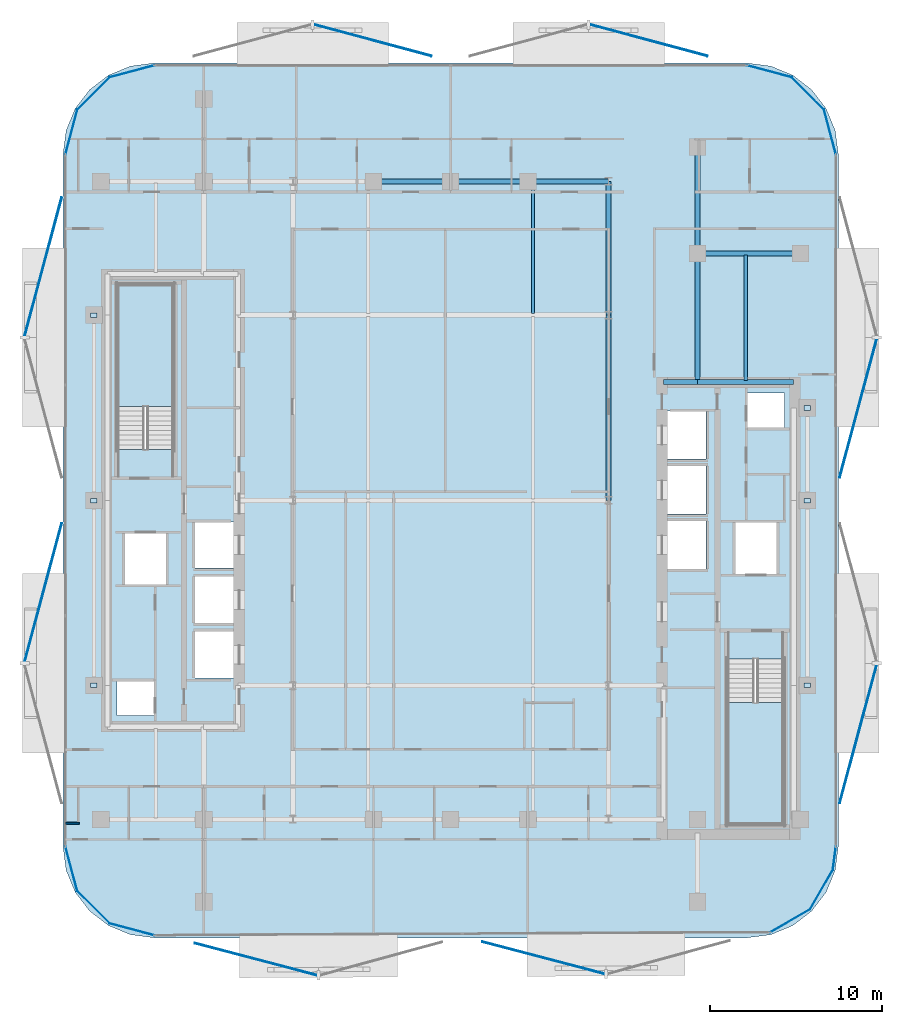
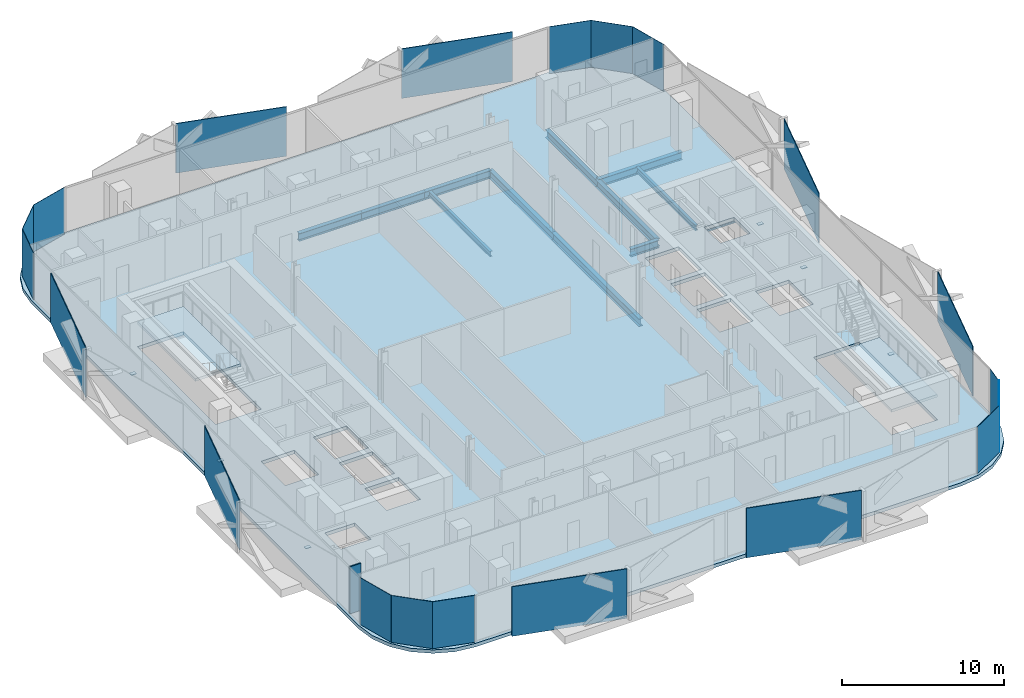
# One storey, part 2 of 17: 26 plates, 12 beams, 3 slabs, 1 wall, 2 elements without a shape of their own.
"""IFC4 building model written with IfcOpenShell, lengths in metres."""

from ifc_helpers import new_model, si_unit, direction, frame, frame_2d, origin, origin_2d, place, context, subcontext, project, spatial, polyline, rectangle, i_section, outline, extrude, material, layer, layer_set, material_profile, profile_set, type_object, element, aggregate, save


model = new_model("IFC4")

# Units and contexts
model_context = context("Model", 3, precision=1e-05, world=origin(), true_north=direction((0.0, 1.0)))
body_context = subcontext(model_context, "Body", "Model", "MODEL_VIEW")
ifc_project = project(units=[si_unit("LENGTHUNIT", "METRE"), si_unit("AREAUNIT", "SQUARE_METRE"), si_unit("VOLUMEUNIT", "CUBIC_METRE"), si_unit("PLANEANGLEUNIT", "RADIAN"), si_unit("MASSUNIT", "GRAM", prefix="KILO")], contexts=[model_context])

# Site, building, storey
site_placement = place(None, origin())
site = spatial("IfcSite", under=ifc_project, at=site_placement, CompositionType="ELEMENT")
building_placement = place(site_placement, origin())
building = spatial("IfcBuilding", under=site, at=building_placement, Name="Khairoan Windgate Tower", CompositionType="ELEMENT")
storey_placement = place(building_placement, frame((0.0, 0.0, 176.39990234375)))
storey = spatial("IfcBuildingStorey", under=building, at=storey_placement, Name="L40", CompositionType="ELEMENT", Elevation=176.39990234375)

# Beams
ifc_material_1 = material(Name="Steel S355", Category="steel")
ifc_material_profile_1 = material_profile(ifc_material_1, i_section(OverallWidth=0.300048828125, OverallDepth=0.587890625, WebThickness=0.011962890625, FlangeThickness=0.02001953125, FilletRadius=0.02392578125, at=origin_2d()))
ifc_profile_set_1 = profile_set([ifc_material_profile_1], Name="Steel S355")
beam_type_1 = type_object("IfcBeamType", Name="Beam B-G4 H588x300x12x20", PredefinedType="BEAM", material=ifc_profile_set_1)
beam_1_placement = place(storey_placement, frame((12.39990234375, 6.89990234375, -0.553955078125), z_axis=(1.0, 0.0, 0.0), x_axis=(0.0, 1.0, 0.0)))
element("IfcBeam", 1, at=beam_1_placement, inside=storey, type_object=beam_type_1, Name="L40 E-W Primary Girder 15", PredefinedType="BEAM", context=body_context, shape_type="SweptSolid", body=[
    extrude(i_section(OverallWidth=0.300048828125, OverallDepth=0.587890625, WebThickness=0.011962890625, FlangeThickness=0.02001953125, FilletRadius=0.02392578125, at=origin_2d()), origin(), (0.0, 0.0, 1.0), 2.0),
])
beam_2_placement = place(storey_placement, frame((14.39990234375, 6.89990234375, -0.553955078125), z_axis=(1.0, 0.0, 0.0), x_axis=(0.0, 1.0, 0.0)))
element("IfcBeam", 2, at=beam_2_placement, inside=storey, type_object=beam_type_1, Name="L40 E-W Primary Girder 16", PredefinedType="BEAM", context=body_context, shape_type="SweptSolid", body=[
    extrude(i_section(OverallWidth=0.300048828125, OverallDepth=0.587890625, WebThickness=0.011962890625, FlangeThickness=0.02001953125, FilletRadius=0.02392578125, at=origin_2d()), origin(), (0.0, 0.0, 1.0), 5.60009765625),
])
beam_3_placement = place(storey_placement, frame((14.39990234375, 14.39990234375, -0.553955078125), z_axis=(1.0, 0.0, 0.0), x_axis=(0.0, 1.0, 0.0)))
element("IfcBeam", 3, at=beam_3_placement, inside=storey, type_object=beam_type_1, Name="L40 E-W Primary Girder 21", PredefinedType="BEAM", context=body_context, shape_type="SweptSolid", body=[
    extrude(i_section(OverallWidth=0.300048828125, OverallDepth=0.587890625, WebThickness=0.011962890625, FlangeThickness=0.02001953125, FilletRadius=0.02392578125, at=origin_2d()), origin(), (0.0, 0.0, 1.0), 6.0),
])
for number, where, z_axis, x_axis, name in (
    (4, (-4.5, 18.60009765625, -0.553955078125), (1.0, 0.0, 0.0), (0.0, 1.0, 0.0), "L40 E-W Primary Girder 25"),
    (5, (0.0, 18.60009765625, -0.553955078125), (1.0, 0.0, 0.0), (0.0, 1.0, 0.0), "L40 E-W Primary Girder 26"),
):
    element("IfcBeam", number, at=place(storey_placement, frame(where, z_axis=z_axis, x_axis=x_axis)), inside=storey, type_object=beam_type_1, Name=name, PredefinedType="BEAM", context=body_context, shape_type="SweptSolid", body=[
        extrude(i_section(OverallWidth=0.300048828125, OverallDepth=0.587890625, WebThickness=0.011962890625, FlangeThickness=0.02001953125, FilletRadius=0.02392578125, at=origin_2d()), origin(), (0.0, 0.0, 1.0), 4.5),
    ])
beam_4_placement = place(storey_placement, frame((4.5, 18.60009765625, -0.553955078125), z_axis=(1.0, 0.0, 0.0), x_axis=(0.0, 1.0, 0.0)))
element("IfcBeam", 6, at=beam_4_placement, inside=storey, type_object=beam_type_1, Name="L40 E-W Primary Girder 27", PredefinedType="BEAM", context=body_context, shape_type="SweptSolid", body=[
    extrude(i_section(OverallWidth=0.300048828125, OverallDepth=0.587890625, WebThickness=0.011962890625, FlangeThickness=0.02001953125, FilletRadius=0.02392578125, at=origin_2d()), origin(), (0.0, 0.0, 1.0), 4.699951171875),
])
beam_5_placement = place(storey_placement, frame((9.199951171875, 0.0, -0.553955078125), z_axis=(0.0, 1.0, 0.0), x_axis=(-1.0, 0.0, 0.0)))
element("IfcBeam", 7, at=beam_5_placement, inside=storey, type_object=beam_type_1, Name="L40 N-S Primary Beam 47", PredefinedType="BEAM", context=body_context, shape_type="SweptSolid", body=[
    extrude(i_section(OverallWidth=0.300048828125, OverallDepth=0.587890625, WebThickness=0.011962890625, FlangeThickness=0.02001953125, FilletRadius=0.02392578125, at=origin_2d()), origin(), (0.0, 0.0, 1.0), 10.800048828125),
])
beam_6_placement = place(storey_placement, frame((9.199951171875, 10.800048828125, -0.553955078125), z_axis=(0.0, 1.0, 0.0), x_axis=(-1.0, 0.0, 0.0)))
element("IfcBeam", 8, at=beam_6_placement, inside=storey, type_object=beam_type_1, Name="L40 N-S Primary Beam 48", PredefinedType="BEAM", context=body_context, shape_type="SweptSolid", body=[
    extrude(i_section(OverallWidth=0.300048828125, OverallDepth=0.587890625, WebThickness=0.011962890625, FlangeThickness=0.02001953125, FilletRadius=0.02392578125, at=origin_2d()), origin(), (0.0, 0.0, 1.0), 7.800048828125),
])
beam_7_placement = place(storey_placement, frame((14.39990234375, 6.89990234375, -0.553955078125), z_axis=(0.0, 1.0, 0.0), x_axis=(-1.0, 0.0, 0.0)))
element("IfcBeam", 9, at=beam_7_placement, inside=storey, type_object=beam_type_1, Name="L40 N-S Primary Beam 51", PredefinedType="BEAM", context=body_context, shape_type="SweptSolid", body=[
    extrude(i_section(OverallWidth=0.300048828125, OverallDepth=0.587890625, WebThickness=0.011962890625, FlangeThickness=0.02001953125, FilletRadius=0.02392578125, at=origin_2d()), origin(), (0.0, 0.0, 1.0), 7.5),
])
beam_8_placement = place(storey_placement, frame((14.39990234375, 14.39990234375, -0.553955078125), z_axis=(0.0, 1.0, 0.0), x_axis=(-1.0, 0.0, 0.0)))
element("IfcBeam", 10, at=beam_8_placement, inside=storey, type_object=beam_type_1, Name="L40 N-S Primary Beam 52", PredefinedType="BEAM", context=body_context, shape_type="SweptSolid", body=[
    extrude(i_section(OverallWidth=0.300048828125, OverallDepth=0.587890625, WebThickness=0.011962890625, FlangeThickness=0.02001953125, FilletRadius=0.02392578125, at=origin_2d()), origin(), (0.0, 0.0, 1.0), 6.2001953125),
])
ifc_material_2 = material(Name="Steel S355", Category="steel")
ifc_material_profile_2 = material_profile(ifc_material_2, i_section(OverallWidth=0.199951171875, OverallDepth=0.39990234375, WebThickness=0.008056640625, FlangeThickness=0.012939453125, FilletRadius=0.01611328125, at=origin_2d()))
ifc_profile_set_2 = profile_set([ifc_material_profile_2], Name="Steel S355")
beam_type_2 = type_object("IfcBeamType", Name="Beam J-S4 H400x200x8x13", PredefinedType="JOIST", material=ifc_profile_set_2)
beam_9_placement = place(storey_placement, frame((4.800048828125, 10.889892578125, -0.4599609375), z_axis=(0.0, 1.0, 0.0), x_axis=(-1.0, 0.0, 0.0)))
element("IfcBeam", 11, at=beam_9_placement, inside=storey, type_object=beam_type_2, Name="L40 Secondary Floor Joist 10", PredefinedType="JOIST", context=body_context, shape_type="SweptSolid", body=[
    extrude(i_section(OverallWidth=0.199951171875, OverallDepth=0.39990234375, WebThickness=0.008056640625, FlangeThickness=0.012939453125, FilletRadius=0.01611328125, at=origin_2d()), origin(), (0.0, 0.0, 1.0), 7.6201171875),
])
beam_10_placement = place(storey_placement, frame((17.199951171875, 6.989990234375, -0.4599609375), z_axis=(0.0, 1.0, 0.0), x_axis=(-1.0, 0.0, 0.0)))
element("IfcBeam", 12, at=beam_10_placement, inside=storey, type_object=beam_type_2, Name="L40 Secondary Floor Joist 11", PredefinedType="JOIST", context=body_context, shape_type="SweptSolid", body=[
    extrude(i_section(OverallWidth=0.199951171875, OverallDepth=0.39990234375, WebThickness=0.008056640625, FlangeThickness=0.012939453125, FilletRadius=0.01611328125, at=origin_2d()), origin(), (0.0, 0.0, 1.0), 7.320068359375),
])

# Plates
ifc_material_3 = material(Name="Low-E Solar Control Laminated Glass", Category="glass")
ifc_layer_1 = layer(ifc_material_3, 0.030029296875, Name="Low-E Solar Control Laminated Glass")
ifc_layer_set_1 = layer_set([ifc_layer_1], Name="Low-E Solar Control Laminated Glass")
plate_type_1 = type_object("IfcPlateType", Name="Aerodynamic Wind-Corner Curved Glazing Plate", PredefinedType="USERDEFINED", material=ifc_layer_set_1)
plate_1_placement = place(storey_placement, frame((-18.585205078125, -25.013916015625, 0.0), z_axis=(0.0, 0.0, 1.0), x_axis=(-0.966061211211, 0.258313252067, 0.0)))
element("IfcPlate", 13, at=plate_1_placement, inside=storey, type_object=plate_type_1, Name="L40 Aerodynamic Wind-Corner Curved Glazing Panel 2", ObjectType="GLAZING PANEL", PredefinedType="USERDEFINED", context=body_context, shape_type="SweptSolid", body=[
    extrude(rectangle(XDim=2.719482421875, YDim=0.030029296875, at=origin_2d()), origin(), (0.0, 0.0, 1.0), 3.5400390625),
])
plate_2_placement = place(storey_placement, frame((-20.823486328125, -23.723388671875, 0.0), z_axis=(0.0, 0.0, 1.0), x_axis=(-0.707106781187, 0.707106781187, 0.0)))
element("IfcPlate", 14, at=plate_2_placement, inside=storey, type_object=plate_type_1, Name="L40 Aerodynamic Wind-Corner Curved Glazing Panel 3", ObjectType="GLAZING PANEL", PredefinedType="USERDEFINED", context=body_context, shape_type="SweptSolid", body=[
    extrude(rectangle(XDim=2.710205078125, YDim=0.030029296875, at=origin_2d()), origin(), (0.0, 0.0, 1.0), 3.5400390625),
])
for number, where, z_axis, x_axis, name in (
    (15, (-22.11376953125, -21.485107421875, 0.0), (0.0, 0.0, 1.0), (-0.258313252067, 0.966061211211, 0.0), "L40 Aerodynamic Wind-Corner Curved Glazing Panel 4"),
    (16, (-22.11376953125, 21.485107421875, 0.0), (0.0, 0.0, 1.0), (0.258313252067, 0.966061211211, 0.0), "L40 Aerodynamic Wind-Corner Curved Glazing Panel 6"),
):
    element("IfcPlate", number, at=place(storey_placement, frame(where, z_axis=z_axis, x_axis=x_axis)), inside=storey, type_object=plate_type_1, Name=name, ObjectType="GLAZING PANEL", PredefinedType="USERDEFINED", context=body_context, shape_type="SweptSolid", body=[
        extrude(rectangle(XDim=2.719482421875, YDim=0.030029296875, at=origin_2d()), origin(), (0.0, 0.0, 1.0), 3.5400390625),
    ])
plate_3_placement = place(storey_placement, frame((-20.823486328125, 23.723388671875, 0.0), z_axis=(0.0, 0.0, 1.0), x_axis=(0.707106781187, 0.707106781187, 0.0)))
element("IfcPlate", 17, at=plate_3_placement, inside=storey, type_object=plate_type_1, Name="L40 Aerodynamic Wind-Corner Curved Glazing Panel 7", ObjectType="GLAZING PANEL", PredefinedType="USERDEFINED", context=body_context, shape_type="SweptSolid", body=[
    extrude(rectangle(XDim=2.710205078125, YDim=0.030029296875, at=origin_2d()), origin(), (0.0, 0.0, 1.0), 3.5400390625),
])
for number, where, z_axis, x_axis, name in (
    (18, (-18.585205078125, 25.013916015625, 0.0), (0.0, 0.0, 1.0), (0.966061211211, 0.258313252067, 0.0), "L40 Aerodynamic Wind-Corner Curved Glazing Panel 8"),
    (19, (18.585205078125, 25.013916015625, 0.0), (0.0, 0.0, 1.0), (0.966061211211, -0.258313252067, 0.0), "L40 Aerodynamic Wind-Corner Curved Glazing Panel 10"),
):
    element("IfcPlate", number, at=place(storey_placement, frame(where, z_axis=z_axis, x_axis=x_axis)), inside=storey, type_object=plate_type_1, Name=name, ObjectType="GLAZING PANEL", PredefinedType="USERDEFINED", context=body_context, shape_type="SweptSolid", body=[
        extrude(rectangle(XDim=2.719482421875, YDim=0.030029296875, at=origin_2d()), origin(), (0.0, 0.0, 1.0), 3.5400390625),
    ])
plate_4_placement = place(storey_placement, frame((20.823486328125, 23.723388671875, 0.0), z_axis=(0.0, 0.0, 1.0), x_axis=(0.707106781187, -0.707106781187, 0.0)))
element("IfcPlate", 20, at=plate_4_placement, inside=storey, type_object=plate_type_1, Name="L40 Aerodynamic Wind-Corner Curved Glazing Panel 11", ObjectType="GLAZING PANEL", PredefinedType="USERDEFINED", context=body_context, shape_type="SweptSolid", body=[
    extrude(rectangle(XDim=2.710205078125, YDim=0.030029296875, at=origin_2d()), origin(), (0.0, 0.0, 1.0), 3.5400390625),
])
plate_5_placement = place(storey_placement, frame((22.11376953125, 21.485107421875, 0.0), z_axis=(0.0, 0.0, 1.0), x_axis=(0.258313252067, -0.966061211211, 0.0)))
element("IfcPlate", 21, at=plate_5_placement, inside=storey, type_object=plate_type_1, Name="L40 Aerodynamic Wind-Corner Curved Glazing Panel 12", ObjectType="GLAZING PANEL", PredefinedType="USERDEFINED", context=body_context, shape_type="SweptSolid", body=[
    extrude(rectangle(XDim=2.719482421875, YDim=0.030029296875, at=origin_2d()), origin(), (0.0, 0.0, 1.0), 3.5400390625),
])
plate_6_placement = place(storey_placement, frame((22.37158203125, -20.863037109375, 0.0), z_axis=(0.0, 0.0, 1.0), x_axis=(-0.13052619222, -0.991444861374, 0.0)))
element("IfcPlate", 22, at=plate_6_placement, inside=storey, type_object=plate_type_1, Name="L40 Aerodynamic Wind-Corner Curved Glazing Panel 14", ObjectType="GLAZING PANEL", PredefinedType="USERDEFINED", context=body_context, shape_type="SweptSolid", body=[
    extrude(rectangle(XDim=1.39599609375, YDim=0.030029296875, at=origin_2d()), origin(), (0.0, 0.0, 1.0), 3.5400390625),
])
for number, where, z_axis, x_axis, name in (
    (23, (21.615478515625, -22.69140625, 0.0), (0.0, 0.0, 1.0), (-0.5, -0.866025403784, 0.0), "L40 Aerodynamic Wind-Corner Curved Glazing Panel 15"),
    (24, (19.79150390625, -24.515380859375, 0.0), (0.0, 0.0, 1.0), (-0.866025403784, -0.5, 0.0), "L40 Aerodynamic Wind-Corner Curved Glazing Panel 16"),
):
    element("IfcPlate", number, at=place(storey_placement, frame(where, z_axis=z_axis, x_axis=x_axis)), inside=storey, type_object=plate_type_1, Name=name, ObjectType="GLAZING PANEL", PredefinedType="USERDEFINED", context=body_context, shape_type="SweptSolid", body=[
        extrude(rectangle(XDim=2.71044921875, YDim=0.030029296875, at=origin_2d()), origin(), (0.0, 0.0, 1.0), 3.5400390625),
    ])
ifc_material_4 = material(Name="Steel S355", Category="steel")
ifc_layer_2 = layer(ifc_material_4, 0.0400390625, Name="Steel S355")
ifc_layer_set_2 = layer_set([ifc_layer_2], Name="Steel S355")
plate_type_2 = type_object("IfcPlateType", Name="Hollow Section End-Cap Plate PL-CAP40", PredefinedType="SHEET", material=ifc_layer_set_2)
for number, where, z_axis, x_axis, name in (
    (25, (-20.800048828125, -10.784912109375, -0.454833984375), (0.0, 0.0, 1.0), (0.0, 1.0, 0.0), "BM-SP-L40-028 steel end-cap plate 1"),
    (26, (-20.800048828125, -0.014892578125, -0.454833984375), (0.0, 0.0, 1.0), (0.0, 1.0, 0.0), "BM-SP-L40-028 steel end-cap plate 2"),
    (27, (-20.800048828125, 10.784912109375, -0.454833984375), (0.0, 0.0, 1.0), (0.0, 1.0, 0.0), "BM-SP-L40-029 steel end-cap plate 2"),
    (28, (20.800048828125, -10.784912109375, -0.454833984375), (0.0, 0.0, 1.0), (0.0, 1.0, 0.0), "BM-SP-L40-056 steel end-cap plate 1"),
    (29, (20.800048828125, -0.014892578125, -0.454833984375), (0.0, 0.0, 1.0), (0.0, 1.0, 0.0), "BM-SP-L40-056 steel end-cap plate 2"),
    (30, (20.800048828125, 5.385009765625, -0.454833984375), (0.0, 0.0, 1.0), (0.0, 1.0, 0.0), "BM-SP-L40-057 steel end-cap plate 2"),
):
    element("IfcPlate", number, at=place(storey_placement, frame(where, z_axis=z_axis, x_axis=x_axis)), inside=storey, type_object=plate_type_2, Name=name, PredefinedType="SHEET", context=body_context, shape_type="SweptSolid", body=[
        extrude(rectangle(XDim=0.27001953125, YDim=0.3701171875, at=origin_2d()), origin(), (0.0, 0.0, 1.0), 0.0400390625),
    ])
ifc_material_5 = material(Name="Anodised Bronze Aluminium 6063-T6", Category="aluminium")
ifc_layer_3 = layer(ifc_material_5, 0.054931640625, Name="Anodised Bronze Aluminium 6063-T6")
ifc_layer_set_3 = layer_set([ifc_layer_3], Name="Anodised Bronze Aluminium 6063-T6")
plate_type_3 = type_object("IfcPlateType", Name="Perforated Bronze Solar Screen Panel BSP-1", PredefinedType="USERDEFINED", material=ifc_layer_set_3)
for number, where, z_axis, x_axis, name in (
    (31, (5.408447265625, -26.673583984375, -0.10009765625), (0.0, 0.0, 1.0), (-0.967179115616, 0.254095569259, 0.0), "L40 Perforated Bronze Solar Screen Panel 257R"),
    (32, (-11.3544921875, -26.756103515625, -0.10009765625), (0.0, 0.0, 1.0), (-0.967179115616, 0.254095569259, 0.0), "L40 Perforated Bronze Solar Screen Panel 258R"),
):
    element("IfcPlate", number, at=place(storey_placement, frame(where, z_axis=z_axis, x_axis=x_axis)), inside=storey, type_object=plate_type_3, Name=name, ObjectType="SCREEN", PredefinedType="USERDEFINED", context=body_context, shape_type="SweptSolid", body=[
        extrude(rectangle(XDim=7.3759765625, YDim=0.054931640625, at=origin_2d()), origin(), (0.0, 0.0, 1.0), 3.739990234375),
    ])
for number, where, z_axis, x_axis, name in (
    (33, (-23.7587890625, -5.369873046875, -0.10009765625), (0.0, 0.0, 1.0), (0.258819045103, 0.965925826289, 0.0), "L40 Perforated Bronze Solar Screen Panel 259R"),
    (34, (-23.7587890625, 13.62109375, -0.10009765625), (0.0, 0.0, 1.0), (0.258819045103, 0.965925826289, 0.0), "L40 Perforated Bronze Solar Screen Panel 260R"),
):
    element("IfcPlate", number, at=place(storey_placement, frame(where, z_axis=z_axis, x_axis=x_axis)), inside=storey, type_object=plate_type_3, Name=name, ObjectType="SCREEN", PredefinedType="USERDEFINED", context=body_context, shape_type="SweptSolid", body=[
        extrude(rectangle(XDim=8.35595703125, YDim=0.054931640625, at=origin_2d()), origin(), (0.0, 0.0, 1.0), 3.739990234375),
    ])
for number, where, z_axis, x_axis, name in (
    (35, (-4.535888671875, 26.82373046875, -0.10009765625), (0.0, 0.0, 1.0), (0.965925826289, -0.258819045103, 0.0), "L40 Perforated Bronze Solar Screen Panel 261R"),
    (36, (11.5546875, 26.82373046875, -0.10009765625), (0.0, 0.0, 1.0), (0.965925826289, -0.258819045103, 0.0), "L40 Perforated Bronze Solar Screen Panel 262R"),
):
    element("IfcPlate", number, at=place(storey_placement, frame(where, z_axis=z_axis, x_axis=x_axis)), inside=storey, type_object=plate_type_3, Name=name, ObjectType="SCREEN", PredefinedType="USERDEFINED", context=body_context, shape_type="SweptSolid", body=[
        extrude(rectangle(XDim=7.080078125, YDim=0.054931640625, at=origin_2d()), origin(), (0.0, 0.0, 1.0), 3.739990234375),
    ])
for number, where, z_axis, x_axis, name in (
    (37, (23.7587890625, 5.369873046875, -0.10009765625), (0.0, 0.0, 1.0), (-0.258819045103, -0.965925826289, 0.0), "L40 Perforated Bronze Solar Screen Panel 263R"),
    (38, (23.7587890625, -13.62109375, -0.10009765625), (0.0, 0.0, 1.0), (-0.258819045103, -0.965925826289, 0.0), "L40 Perforated Bronze Solar Screen Panel 264R"),
):
    element("IfcPlate", number, at=place(storey_placement, frame(where, z_axis=z_axis, x_axis=x_axis)), inside=storey, type_object=plate_type_3, Name=name, ObjectType="SCREEN", PredefinedType="USERDEFINED", context=body_context, shape_type="SweptSolid", body=[
        extrude(rectangle(XDim=8.35595703125, YDim=0.054931640625, at=origin_2d()), origin(), (0.0, 0.0, 1.0), 3.739990234375),
    ])

# Stair, slab
ifc_material_6 = material(Name="Concrete C40/50", Category="concrete")
stair_type = type_object("IfcStairType", Name="Tower Core Dog-Leg Stair ST-T1 1560mm", PredefinedType="HALF_TURN_STAIR", material=ifc_material_6)
stair_1_placement = place(storey_placement, origin())
stair_1 = element("IfcStair", 39, at=stair_1_placement, inside=storey, type_object=stair_type, Name="L40 Stair ST1", PredefinedType="HALF_TURN_STAIR")
ifc_material_7 = material(Name="Concrete C40/50", Category="concrete")
ifc_layer_4 = layer(ifc_material_7, 0.199951171875, Name="Concrete C40/50")
ifc_layer_set_4 = layer_set([ifc_layer_4], Name="Concrete C40/50")
slab_type_1 = type_object("IfcSlabType", Name="Reinforced Concrete Stair Landing Slab STL-200", PredefinedType="LANDING", material=ifc_layer_set_4)
slab_1_placement = place(storey_placement, frame((0.0, 0.0, 1.7001953125)))
slab_1 = element("IfcSlab", 40, at=slab_1_placement, type_object=slab_type_1, Name="ST1 landing 1", PredefinedType="LANDING", context=body_context, shape_type="SweptSolid", body=[
    extrude(outline(polyline([(16.14990234375, -11.780029296875), (16.14990234375, -18.89990234375), (19.419921875, -18.89990234375), (19.419921875, -11.780029296875), (16.14990234375, -11.780029296875)])), origin(), (0.0, 0.0, 1.0), 0.199951171875),
])
aggregate(stair_1, [slab_1])

stair_2_placement = place(storey_placement, origin())
stair_2 = element("IfcStair", 41, at=stair_2_placement, inside=storey, type_object=stair_type, Name="L40 Stair ST2", PredefinedType="HALF_TURN_STAIR")
slab_2_placement = place(storey_placement, frame((0.0, 0.0, 1.7001953125)))
slab_2 = element("IfcSlab", 42, at=slab_2_placement, type_object=slab_type_1, Name="ST2 landing 1", PredefinedType="LANDING", context=body_context, shape_type="SweptSolid", body=[
    extrude(outline(polyline([(-16.14990234375, 5.47998046875), (-16.14990234375, 12.60009765625), (-19.419921875, 12.60009765625), (-19.419921875, 5.47998046875), (-16.14990234375, 5.47998046875)])), origin(), (0.0, 0.0, 1.0), 0.199951171875),
])
aggregate(stair_2, [slab_2])

# Slab
ifc_material_8 = material(Name="Concrete C40/50", Category="concrete")
ifc_layer_5 = layer(ifc_material_8, 0.260009765625, Name="Concrete C40/50")
ifc_layer_set_5 = layer_set([ifc_layer_5], Name="Concrete C40/50")
slab_type_2 = type_object("IfcSlabType", Name="Tower Composite Floor Slab FS2 260mm", PredefinedType="FLOOR", material=ifc_layer_set_5)
slab_3_placement = place(storey_placement, frame((0.0, 0.0, -0.260009765625)))
element("IfcSlab", 43, at=slab_3_placement, inside=storey, type_object=slab_type_2, Name="L40 Structural Floor Slab", PredefinedType="FLOOR", context=body_context, shape_type="SweptSolid", body=[
    extrude(outline(polyline([(17.300048828125, -25.5), (18.671630859375, -25.3193359375), (19.949951171875, -24.789794921875), (21.047607421875, -23.94775390625), (21.889892578125, -22.85009765625), (22.41943359375, -21.57177734375), (22.60009765625, -20.199951171875), (22.60009765625, 20.199951171875), (22.41943359375, 21.57177734375), (21.889892578125, 22.85009765625), (21.047607421875, 23.94775390625), (19.949951171875, 24.789794921875), (18.671630859375, 25.3193359375), (17.300048828125, 25.5), (-17.300048828125, 25.5), (-18.671630859375, 25.3193359375), (-19.949951171875, 24.789794921875), (-21.047607421875, 23.94775390625), (-21.889892578125, 22.85009765625), (-22.41943359375, 21.57177734375), (-22.60009765625, 20.199951171875), (-22.60009765625, -20.199951171875), (-22.41943359375, -21.57177734375), (-21.889892578125, -22.85009765625), (-21.047607421875, -23.94775390625), (-19.949951171875, -24.789794921875), (-18.671630859375, -25.3193359375), (-17.300048828125, -25.5), (17.300048828125, -25.5)]), holes=[polyline([(16.14990234375, -9.260009765625), (16.14990234375, -18.89990234375), (19.419921875, -18.89990234375), (19.419921875, -9.260009765625), (16.14990234375, -9.260009765625)]), polyline([(-16.14990234375, 2.9599609375), (-16.14990234375, 12.60009765625), (-19.419921875, 12.60009765625), (-19.419921875, 2.9599609375), (-16.14990234375, 2.9599609375)]), polyline([(-14.89990234375, -3.949951171875), (-12.5, -3.949951171875), (-12.5, -1.25), (-14.89990234375, -1.25), (-14.89990234375, -3.949951171875)]), polyline([(-14.89990234375, -7.14990234375), (-12.5, -7.14990234375), (-12.5, -4.449951171875), (-14.89990234375, -4.449951171875), (-14.89990234375, -7.14990234375)]), polyline([(-14.89990234375, -10.35009765625), (-12.5, -10.35009765625), (-12.5, -7.64990234375), (-14.89990234375, -7.64990234375), (-14.89990234375, -10.35009765625)]), polyline([(12.5, 2.39990234375), (14.89990234375, 2.39990234375), (14.89990234375, 5.199951171875), (12.5, 5.199951171875), (12.5, 2.39990234375)]), polyline([(12.5, -0.800048828125), (14.89990234375, -0.800048828125), (14.89990234375, 2.0), (12.5, 2.0), (12.5, -0.800048828125)]), polyline([(12.5, -4.0), (14.89990234375, -4.0), (14.89990234375, -1.199951171875), (12.5, -1.199951171875), (12.5, -4.0)]), polyline([(16.60009765625, -4.300048828125), (19.0, -4.300048828125), (19.0, -1.300048828125), (16.60009765625, -1.300048828125), (16.60009765625, -4.300048828125)]), polyline([(-19.0, -4.89990234375), (-16.60009765625, -4.89990234375), (-16.60009765625, -1.89990234375), (-19.0, -1.89990234375), (-19.0, -4.89990234375)]), polyline([(-19.449951171875, -12.550048828125), (-17.31005859375, -12.550048828125), (-17.31005859375, -10.550048828125), (-19.449951171875, -10.550048828125), (-19.449951171875, -12.550048828125)]), polyline([(17.31005859375, 4.25), (19.449951171875, 4.25), (19.449951171875, 6.25), (17.31005859375, 6.25), (17.31005859375, 4.25)])]), origin(), (0.0, 0.0, 1.0), 0.260009765625),
])

# Wall
ifc_material_9 = material(Name="Moisture-Resistant Gypsum Partition", Category="gypsum")
ifc_layer_6 = layer(ifc_material_9, 0.10009765625, Name="Moisture-Resistant Gypsum Partition")
ifc_layer_set_6 = layer_set([ifc_layer_6], Name="Moisture-Resistant Gypsum Partition")
wall_type = type_object("IfcWallType", Name="Bathroom Wet-Area Partition Wall", PredefinedType="PARTITIONING", material=ifc_layer_set_6)
wall_placement = place(storey_placement, frame((-21.669921875, -18.820068359375, 0.0), z_axis=(0.0, 0.0, 1.0), x_axis=(-1.0, 0.0, 0.0)))
element("IfcWall", 44, at=wall_placement, inside=storey, type_object=wall_type, Name="L40 Wet Room Side Wall 098", PredefinedType="PARTITIONING", context=body_context, shape_type="SweptSolid", body=[
    extrude(rectangle(XDim=0.78515625, YDim=0.10009765625, at=frame_2d((0.392578125, 0.0))), origin(), (0.0, 0.0, 1.0), 3.5400390625),
])

save(model, "model.ifc")
